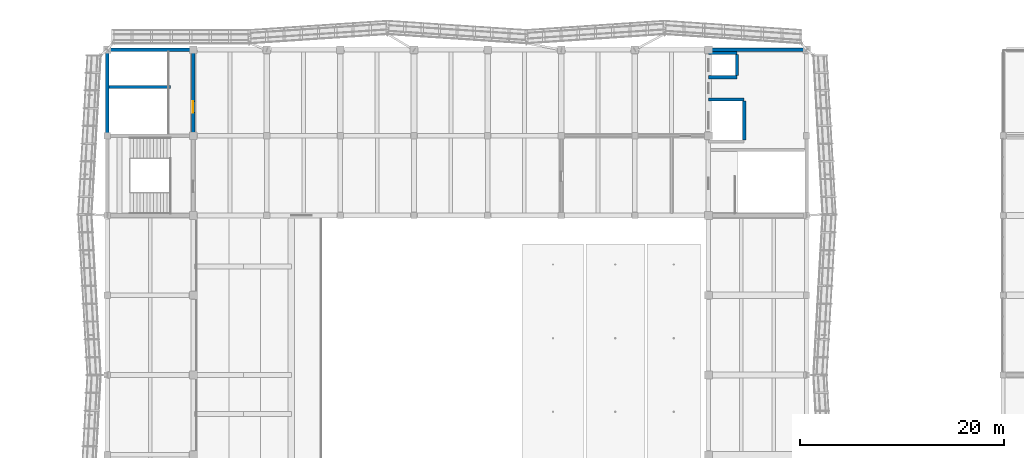
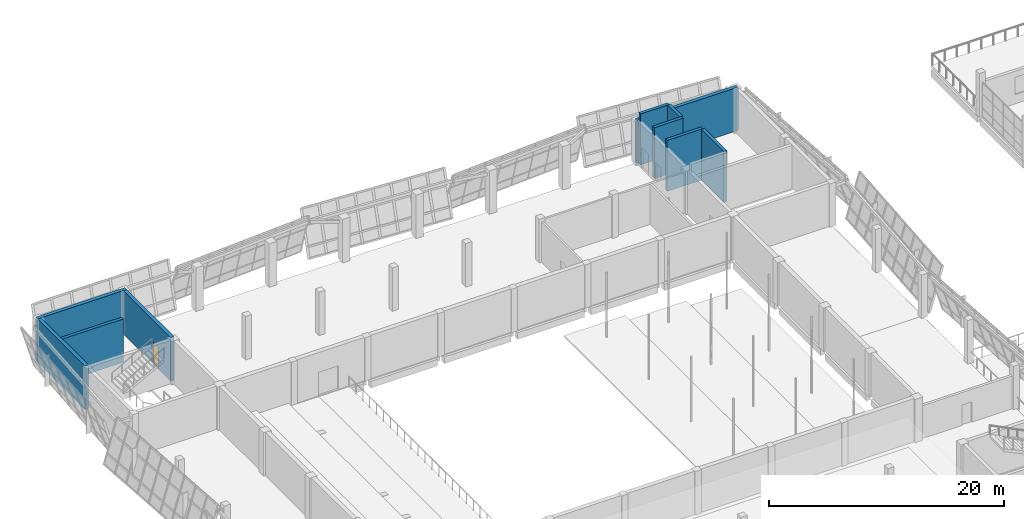
# One storey, part 59 of 71: 10 walls, 1 door, 1 opening.
"""IFC4 building model written with IfcOpenShell, lengths in metres."""

from ifc_helpers import new_model, si_unit, direction, frame, frame_2d, origin, place, context, subcontext, project, spatial, rectangle, extrude, material, layer, layer_set, type_object, element, fill, save


model = new_model("IFC4")

# Units and contexts
model_context = context("Model", 3, precision=1e-05, world=origin(), true_north=direction((0.0, 1.0)))
body_context = subcontext(model_context, "Body", "Model", "MODEL_VIEW")
ifc_project = project(units=[si_unit("LENGTHUNIT", "METRE"), si_unit("AREAUNIT", "SQUARE_METRE"), si_unit("VOLUMEUNIT", "CUBIC_METRE"), si_unit("PLANEANGLEUNIT", "RADIAN"), si_unit("MASSUNIT", "GRAM", prefix="KILO")], contexts=[model_context])

# Site, building, storey
site_placement = place(None, origin())
site = spatial("IfcSite", under=ifc_project, at=site_placement, CompositionType="ELEMENT")
building_placement = place(site_placement, origin())
building = spatial("IfcBuilding", under=site, at=building_placement, Name="Pellamere Symphony Hall", CompositionType="ELEMENT")
storey_placement = place(building_placement, frame((0.0, 0.0, 15.0)))
storey = spatial("IfcBuildingStorey", under=building, at=storey_placement, Name="L03", CompositionType="ELEMENT", Elevation=15.0)

# Walls
ifc_material_1 = material(Name="Concrete 40 MPa", Category="concrete")
ifc_layer_1 = layer(ifc_material_1, 0.35009765625, Name="Concrete 40 MPa")
ifc_layer_set_1 = layer_set([ifc_layer_1], Name="Concrete 40 MPa")
wall_type_1 = type_object("IfcWallType", Name="Structural Wall SW-03 350mm", PredefinedType="SHEAR", material=ifc_layer_set_1)
wall_1_placement = place(storey_placement, frame((109.02490234375, 93.60009765625, 0.0), z_axis=(0.0, 0.0, 1.0), x_axis=(1.0, 0.0, 0.0)))
element("IfcWall", 1, at=wall_1_placement, inside=storey, type_object=wall_type_1, Name="Core Shear Wall C4 N (L03)", PredefinedType="SHEAR", context=body_context, shape_type="SweptSolid", body=[
    extrude(rectangle(XDim=9.9501953125, YDim=0.35009765625, at=frame_2d((4.97509765625, 0.0))), origin(), (0.0, 0.0, 1.0), 4.5),
])
wall_2_placement = place(storey_placement, frame((50.22509765625, 93.60009765625, 0.0), z_axis=(0.0, 0.0, 1.0), x_axis=(1.0, 0.0, 0.0)))
element("IfcWall", 2, at=wall_2_placement, inside=storey, type_object=wall_type_1, Name="Stair ST13 Enclosure Wall N (L03)", PredefinedType="SHEAR", context=body_context, shape_type="SweptSolid", body=[
    extrude(rectangle(XDim=8.75, YDim=0.35009765625, at=frame_2d((4.375, 0.0))), origin(), (0.0, 0.0, 1.0), 4.5),
])
wall_3_placement = place(storey_placement, frame((50.39990234375, 85.375, 0.0), z_axis=(0.0, 0.0, 1.0), x_axis=(0.0, 1.0, 0.0)))
element("IfcWall", 3, at=wall_3_placement, inside=storey, type_object=wall_type_1, Name="Stair ST13 Enclosure Wall W (L03)", PredefinedType="SHEAR", context=body_context, shape_type="SweptSolid", body=[
    extrude(rectangle(XDim=8.050048828125, YDim=0.35009765625, at=frame_2d((4.02490234375, 0.0))), origin(), (0.0, 0.0, 1.0), 4.5),
])

# Wall, opening, door
wall_4_placement = place(storey_placement, frame((58.800048828125, 85.375, 0.0), z_axis=(0.0, 0.0, 1.0), x_axis=(0.0, 1.0, 0.0)))
wall_4 = element("IfcWall", 4, at=wall_4_placement, inside=storey, type_object=wall_type_1, Name="Stair ST13 Enclosure Wall E (L03)", PredefinedType="SHEAR", context=body_context, shape_type="SweptSolid", body=[
    extrude(rectangle(XDim=8.050048828125, YDim=0.35009765625, at=frame_2d((4.02490234375, 0.0))), origin(), (0.0, 0.0, 1.0), 4.5),
])
opening_placement = place(wall_4_placement, frame((2.10009765625, 0.0, 0.0)))
opening = element("IfcOpeningElement", 5, at=opening_placement, cuts=wall_4, Name="Opening SD-62", PredefinedType="OPENING", context=body_context, shape_type="SweptSolid", body=[
    extrude(rectangle(XDim=1.10009765625, YDim=2.199951171875, at=frame_2d((0.550048828125, 1.10009765625))), frame((0.0, 0.18505859375, 0.0), z_axis=(0.0, -1.0, 0.0), x_axis=(1.0, 0.0, 0.0)), (0.0, 0.0, 1.0), 0.3701171875),
])
ifc_material_2 = material(Name="Fire-Rated Steel Exit Stair Door", Category="steel")
door_type = type_object("IfcDoorType", Name="Interior Door ID-SD1 1100x2200", OperationType="NOTDEFINED", PredefinedType="DOOR", material=ifc_material_2)
door_placement = place(opening_placement, origin())
door = element("IfcDoor", 6, at=door_placement, inside=storey, type_object=door_type, Name="Exit Stair ST13 Door (L03)", OperationType="SINGLE_SWING_RIGHT", OverallHeight=2.199951171875, OverallWidth=1.10009765625, PredefinedType="DOOR", context=body_context, shape_type="SweptSolid", body=[
    extrude(rectangle(XDim=1.10009765625, YDim=2.199951171875, at=frame_2d((0.550048828125, 1.10009765625))), frame((0.0, 0.02490234375, 0.0), z_axis=(0.0, -1.0, 0.0), x_axis=(1.0, 0.0, 0.0)), (0.0, 0.0, 1.0), 0.050048828125),
])
fill(opening, door)

# Walls
ifc_layer_2 = layer(ifc_material_1, 0.300048828125, Name="Concrete 40 MPa")
ifc_layer_set_2 = layer_set([ifc_layer_2], Name="Concrete 40 MPa")
wall_type_2 = type_object("IfcWallType", Name="Structural Wall SW-04 300mm", PredefinedType="SHEAR", material=ifc_layer_set_2)
wall_5_placement = place(storey_placement, frame((50.56494140625, 89.949951171875, 0.0), z_axis=(0.0, 0.0, 1.0), x_axis=(1.0, 0.0, 0.0)))
element("IfcWall", 7, at=wall_5_placement, inside=storey, type_object=wall_type_2, Name="Stair ST13 Discharge Divider Wall (L03)", PredefinedType="SHEAR", context=body_context, shape_type="SweptSolid", body=[
    extrude(rectangle(XDim=6.010009765625, YDim=0.300048828125, at=frame_2d((3.0048828125, 0.0))), origin(), (0.0, 0.0, 1.0), 4.5),
])
wall_6_placement = place(storey_placement, frame((109.199951171875, 88.75, 0.0), z_axis=(0.0, 0.0, 1.0), x_axis=(1.0, 0.0, 0.0)))
element("IfcWall", 8, at=wall_6_placement, inside=storey, type_object=wall_type_2, Name="Elevator GL1 Hoistway Wall N (L03)", PredefinedType="SHEAR", context=body_context, shape_type="SweptSolid", body=[
    extrude(rectangle(XDim=3.5, YDim=0.300048828125, at=frame_2d((1.75, 0.0))), origin(), (0.0, 0.0, 1.0), 5.300048828125),
])
wall_7_placement = place(storey_placement, frame((112.699951171875, 84.800048828125, 0.0), z_axis=(0.0, 0.0, 1.0), x_axis=(0.0, 1.0, 0.0)))
element("IfcWall", 9, at=wall_7_placement, inside=storey, type_object=wall_type_2, Name="Elevator GL1 Hoistway Wall E (L03)", PredefinedType="SHEAR", context=body_context, shape_type="SweptSolid", body=[
    extrude(rectangle(XDim=3.800048828125, YDim=0.300048828125, at=frame_2d((1.89990234375, 0.0))), origin(), (0.0, 0.0, 1.0), 5.300048828125),
])
for number, where, z_axis, x_axis, name in (
    (10, (109.199951171875, 90.925048828125, 0.0), (0.0, 0.0, 1.0), (1.0, 0.0, 0.0), "Elevator PL6 Hoistway Wall S (L03)"),
    (11, (109.199951171875, 93.27490234375, 0.0), (0.0, 0.0, 1.0), (1.0, 0.0, 0.0), "Elevator PL6 Hoistway Wall N (L03)"),
):
    element("IfcWall", number, at=place(storey_placement, frame(where, z_axis=z_axis, x_axis=x_axis)), inside=storey, type_object=wall_type_2, Name=name, PredefinedType="SHEAR", context=body_context, shape_type="SweptSolid", body=[
        extrude(rectangle(XDim=2.800048828125, YDim=0.300048828125, at=frame_2d((1.39990234375, 0.0))), origin(), (0.0, 0.0, 1.0), 5.300048828125),
    ])
wall_8_placement = place(storey_placement, frame((112.0, 91.074951171875, 0.0), z_axis=(0.0, 0.0, 1.0), x_axis=(0.0, 1.0, 0.0)))
element("IfcWall", 12, at=wall_8_placement, inside=storey, type_object=wall_type_2, Name="Elevator PL6 Hoistway Wall E (L03)", PredefinedType="SHEAR", context=body_context, shape_type="SweptSolid", body=[
    extrude(rectangle(XDim=2.050048828125, YDim=0.300048828125, at=frame_2d((1.02490234375, 0.0))), origin(), (0.0, 0.0, 1.0), 5.300048828125),
])

save(model, "model.ifc")
